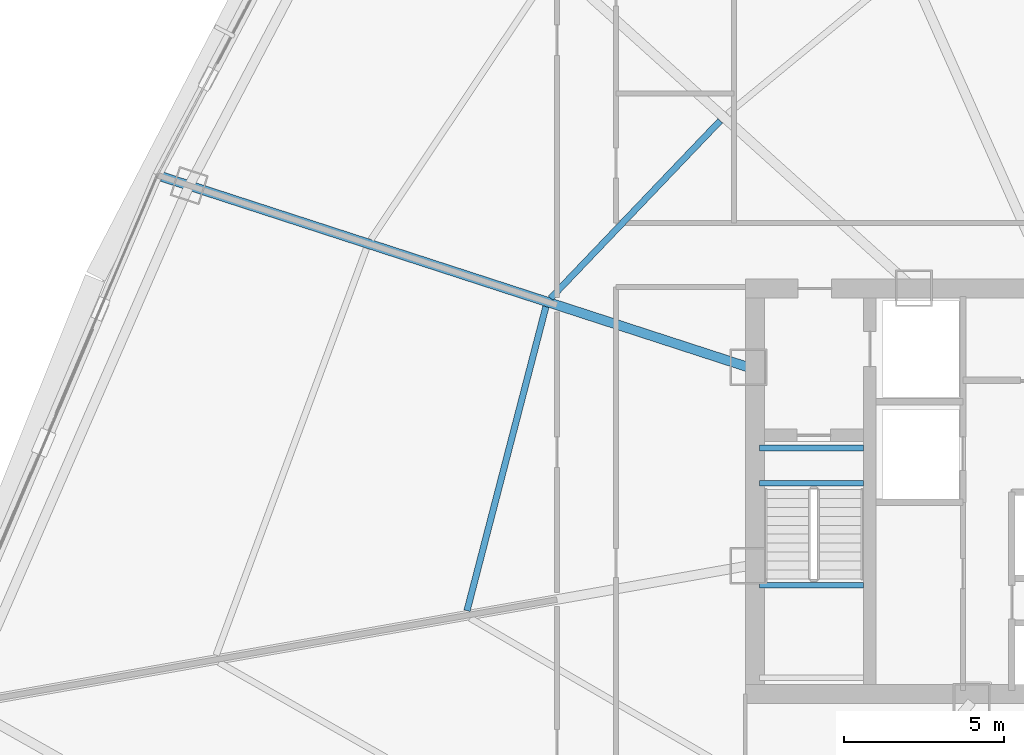
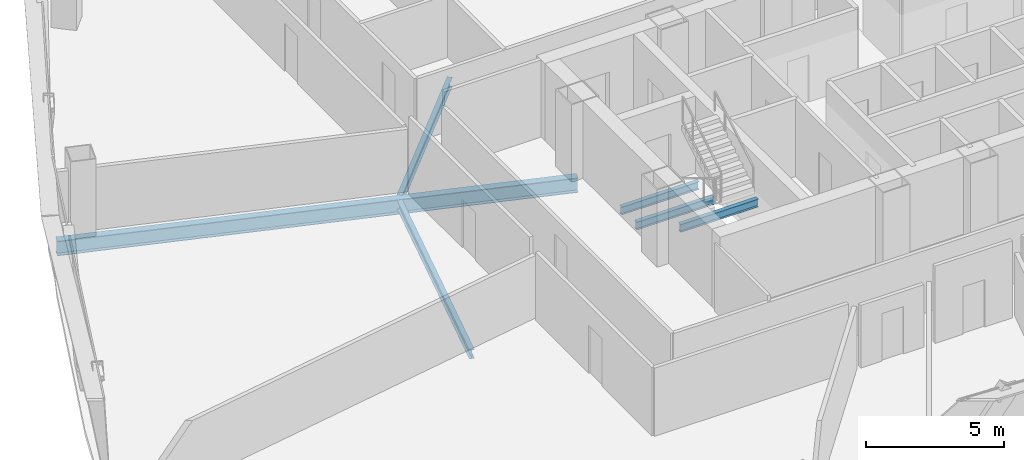
# One storey, part 9 of 39: 6 beams.
"""IFC4 building model written with IfcOpenShell, lengths in metres."""

from ifc_helpers import new_model, si_unit, direction, frame, origin, origin_2d, place, context, subcontext, project, spatial, i_section, extrude, source, transform, mapped, material, material_profile, profile_set, type_object, element, save


model = new_model("IFC4")

# Units and contexts
model_context = context("Model", 3, precision=1e-05, world=origin(), true_north=direction((0.0, 1.0)))
body_context = subcontext(model_context, "Body", "Model", "MODEL_VIEW")
ifc_project = project(units=[si_unit("LENGTHUNIT", "METRE"), si_unit("AREAUNIT", "SQUARE_METRE"), si_unit("VOLUMEUNIT", "CUBIC_METRE"), si_unit("PLANEANGLEUNIT", "RADIAN"), si_unit("MASSUNIT", "GRAM", prefix="KILO"), si_unit("THERMODYNAMICTEMPERATUREUNIT", "KELVIN"), si_unit("POWERUNIT", "WATT")], contexts=[model_context])

# Site, building, storey
site_placement = place(None, origin())
site = spatial("IfcSite", under=ifc_project, at=site_placement, CompositionType="ELEMENT")
building_placement = place(site_placement, origin())
building = spatial("IfcBuilding", under=site, at=building_placement, Name="Yunzhuo Pagoda Commons", CompositionType="ELEMENT")
storey_placement = place(building_placement, frame((0.0, 0.0, 166.6298828125)))
storey = spatial("IfcBuildingStorey", under=building, at=storey_placement, Name="L42", CompositionType="ELEMENT", Elevation=166.6298828125)

# Beams
ifc_material = material(Name="Structural steel Q355B", Category="steel")
ifc_material_profile_1 = material_profile(ifc_material, i_section(OverallWidth=0.175048828125, OverallDepth=0.35009765625, WebThickness=0.007080078125, FlangeThickness=0.010986328125, at=origin_2d()), Name="Structural steel Q355B")
ifc_profile_set_1 = profile_set([ifc_material_profile_1], Name="Structural steel Q355B")
beam_type_1 = type_object("IfcBeamType", Name="B-JS2 Joist HN 350x175x7x11", PredefinedType="JOIST", material=ifc_profile_set_1)
shared_shape_1 = source(origin(), body_context, "Body", "SweptSolid", [
    extrude(i_section(OverallWidth=0.175048828125, OverallDepth=0.35009765625, WebThickness=0.007080078125, FlangeThickness=0.010986328125, at=origin_2d()), origin(), (0.0, 0.0, 1.0), 3.25),
])
for number, where, z_axis, x_axis, name in (
    (1, (35.949951171875, 30.89990234375, 1.465087890625), (1.0, 0.0, 0.0), (0.0, 1.0, 0.0), "L42 ST1 landing support beam 48B"),
    (2, (35.949951171875, 34.10009765625, -0.375), (1.0, 0.0, 0.0), (0.0, 1.0, 0.0), "L42 ST1 landing support beam 146A"),
    (3, (35.949951171875, 35.199951171875, -0.375), (1.0, 0.0, 0.0), (0.0, 1.0, 0.0), "L42 ST1 landing support beam 146B"),
):
    element("IfcBeam", number, at=place(storey_placement, frame(where, z_axis=z_axis, x_axis=x_axis)), inside=storey, type_object=beam_type_1, Name=name, PredefinedType="JOIST", context=body_context, shape_type="MappedRepresentation", body=[
        mapped(shared_shape_1, transform((0.0, 0.0, 0.0), scale=1.0)),
    ])
ifc_material_profile_2 = material_profile(ifc_material, i_section(OverallWidth=0.199951171875, OverallDepth=0.39990234375, WebThickness=0.008056640625, FlangeThickness=0.012939453125, at=origin_2d()), Name="Structural steel Q355B")
ifc_profile_set_2 = profile_set([ifc_material_profile_2], Name="Structural steel Q355B")
beam_type_2 = type_object("IfcBeamType", Name="B-JS1 Joist HN 400x200x8x13", PredefinedType="JOIST", material=ifc_profile_set_2)
shared_shape_2 = source(origin(), body_context, "Body", "SweptSolid", [
    extrude(i_section(OverallWidth=0.199951171875, OverallDepth=0.39990234375, WebThickness=0.008056640625, FlangeThickness=0.012939453125, at=origin_2d()), origin(), (0.0, 0.0, 1.0), 9.8330078125),
])
beam_1_placement = place(storey_placement, frame((29.254638671875, 39.623779296875, -0.4599609375), z_axis=(-0.251166367041, -0.967943932295, 0.0), x_axis=(0.967943932295, -0.251166367041, 0.0)))
element("IfcBeam", 4, at=beam_1_placement, inside=storey, type_object=beam_type_2, Name="L42 composite ring joist 1.11", PredefinedType="JOIST", context=body_context, shape_type="MappedRepresentation", body=[
    mapped(shared_shape_2, transform((0.0, 0.0, 0.0), scale=1.0)),
])
shared_shape_3 = source(origin(), body_context, "Body", "SweptSolid", [
    extrude(i_section(OverallWidth=0.199951171875, OverallDepth=0.39990234375, WebThickness=0.008056640625, FlangeThickness=0.012939453125, at=origin_2d()), origin(), (0.0, 0.0, 1.0), 7.685546875),
])
beam_2_placement = place(storey_placement, frame((34.714111328125, 45.448974609375, -0.4599609375), z_axis=(-0.690882862648, -0.722966714378, 0.0), x_axis=(0.722966714378, -0.690882862648, 0.0)))
element("IfcBeam", 5, at=beam_2_placement, inside=storey, type_object=beam_type_2, Name="L42 composite ring joist 1.10", PredefinedType="JOIST", context=body_context, shape_type="MappedRepresentation", body=[
    mapped(shared_shape_3, transform((0.0, 0.0, 0.0), scale=1.0)),
])
ifc_material_profile_3 = material_profile(ifc_material, i_section(OverallWidth=0.300048828125, OverallDepth=0.64990234375, WebThickness=0.012939453125, FlangeThickness=0.02197265625, at=origin_2d()), Name="Structural steel Q355B")
ifc_profile_set_3 = profile_set([ifc_material_profile_3], Name="Structural steel Q355B")
beam_type_3 = type_object("IfcBeamType", Name="B-RG2 Beam HN 650x300x13x22", PredefinedType="BEAM", material=ifc_profile_set_3)
shared_shape_4 = source(origin(), body_context, "Body", "SweptSolid", [
    extrude(i_section(OverallWidth=0.300048828125, OverallDepth=0.64990234375, WebThickness=0.012939453125, FlangeThickness=0.02197265625, at=origin_2d()), origin(), (0.0, 0.0, 1.0), 19.31201171875),
])
beam_3_placement = place(storey_placement, frame((17.2333984375, 43.69677734375, -0.5849609375), z_axis=(0.951055434175, -0.309020324777, 0.0), x_axis=(0.309020324777, 0.951055434175, 0.0)))
element("IfcBeam", 6, at=beam_3_placement, inside=storey, type_object=beam_type_3, Name="L42 radial floor girder F3C3", PredefinedType="BEAM", context=body_context, shape_type="MappedRepresentation", body=[
    mapped(shared_shape_4, transform((0.0, 0.0, 0.0), scale=1.0)),
])

save(model, "model.ifc")
